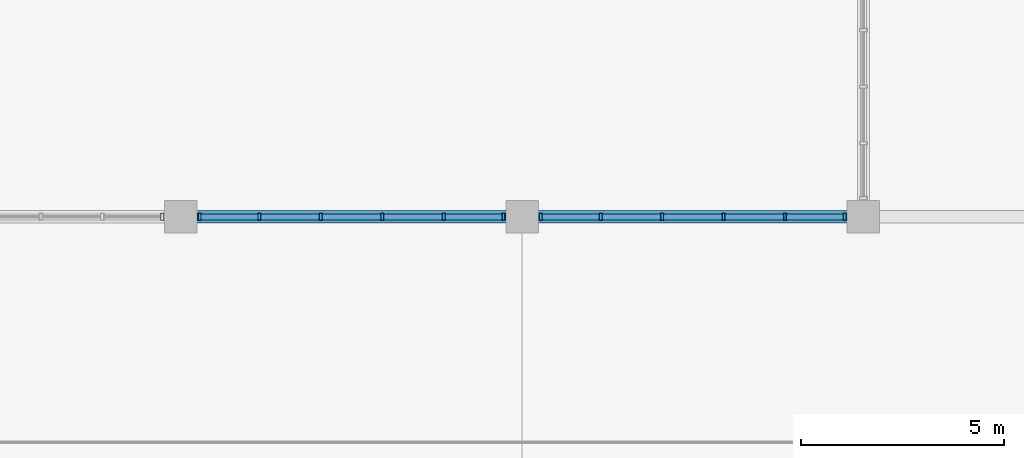
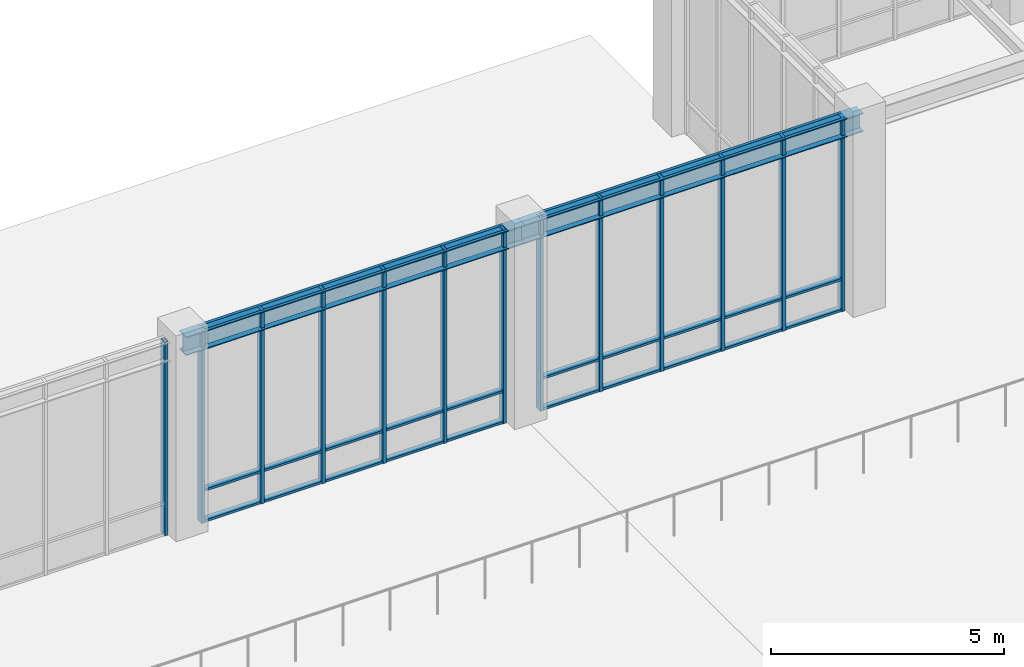
# One storey, part 51 of 139: 43 members, 2 beams, 3 elements without a shape of their own.
"""IFC4 building model written with IfcOpenShell, lengths in metres."""

from ifc_helpers import new_model, si_unit, direction, frame, origin, origin_2d, place, context, subcontext, project, spatial, hollow_rectangle, i_section, extrude, material, layer, layer_set, material_profile, profile_set, type_object, element, aggregate, save


model = new_model("IFC4")

# Units and contexts
model_context = context("Model", 3, precision=1e-05, world=origin(), true_north=direction((0.0, 1.0)))
body_context = subcontext(model_context, "Body", "Model", "MODEL_VIEW")
ifc_project = project(units=[si_unit("LENGTHUNIT", "METRE"), si_unit("AREAUNIT", "SQUARE_METRE"), si_unit("VOLUMEUNIT", "CUBIC_METRE"), si_unit("PLANEANGLEUNIT", "RADIAN"), si_unit("MASSUNIT", "GRAM", prefix="KILO")], contexts=[model_context])

# Site, building, storey
site_placement = place(None, origin())
site = spatial("IfcSite", under=ifc_project, at=site_placement, CompositionType="ELEMENT")
building_placement = place(site_placement, origin())
building = spatial("IfcBuilding", under=site, at=building_placement, Name="Zayran Congress Hotel", CompositionType="ELEMENT")
storey_placement = place(building_placement, frame((0.0, 0.0, 5.39990234375)))
storey = spatial("IfcBuildingStorey", under=building, at=storey_placement, Name="L01", CompositionType="ELEMENT", Elevation=5.39990234375)

# Beams
ifc_material_1 = material(Name="Steel S355", Category="steel")
ifc_material_profile_1 = material_profile(ifc_material_1, i_section(OverallWidth=0.300048828125, OverallDepth=0.489990234375, WebThickness=0.011962890625, FlangeThickness=0.02294921875, at=origin_2d()), Name="HEA 500")
ifc_profile_set_1 = profile_set([ifc_material_profile_1], Name="Steel S355")
beam_type = type_object("IfcBeamType", Name="TP-BM-05", PredefinedType="BEAM", material=ifc_profile_set_1)
beam_1_placement = place(storey_placement, frame((42.0, 109.60009765625, 4.835205078125), z_axis=(1.0, 0.0, 0.0), x_axis=(0.0, 1.0, 0.0)))
element("IfcBeam", 1, at=beam_1_placement, inside=storey, type_object=beam_type, Name="BM-V1-L01-0555", PredefinedType="BEAM", context=body_context, shape_type="SweptSolid", body=[
    extrude(i_section(OverallWidth=0.300048828125, OverallDepth=0.489990234375, WebThickness=0.011962890625, FlangeThickness=0.02294921875, at=origin_2d()), origin(), (0.0, 0.0, 1.0), 8.39990234375),
])
beam_2_placement = place(storey_placement, frame((50.39990234375, 109.60009765625, 4.835205078125), z_axis=(1.0, 0.0, 0.0), x_axis=(0.0, 1.0, 0.0)))
element("IfcBeam", 2, at=beam_2_placement, inside=storey, type_object=beam_type, Name="BM-V1-L01-0556", PredefinedType="BEAM", context=body_context, shape_type="SweptSolid", body=[
    extrude(i_section(OverallWidth=0.300048828125, OverallDepth=0.489990234375, WebThickness=0.011962890625, FlangeThickness=0.02294921875, at=origin_2d()), origin(), (0.0, 0.0, 1.0), 8.400146484375),
])

# Curtain wall, member
ifc_material_2 = material(Name="Anodised aluminium and low-E insulated glass", Category="aluminium")
ifc_layer_1 = layer(ifc_material_2, 0.179931640625)
ifc_layer_set_1 = layer_set([ifc_layer_1], Name="Anodised aluminium and low-E insulated glass")
curtain_wall_type_1 = type_object("IfcCurtainWallType", Name="CW-V1NF-L01-CW-21-7560-5080", PredefinedType="USERDEFINED", material=ifc_layer_set_1)
curtain_wall_1_placement = place(storey_placement, origin())
curtain_wall_1 = element("IfcCurtainWall", 3, at=curtain_wall_1_placement, inside=storey, type_object=curtain_wall_type_1, Name="CW-V1NF-L01-3", ObjectType="CURTAIN WALL", PredefinedType="USERDEFINED")
ifc_material_3 = material(Name="Anodised aluminium framing", Category="aluminium")
ifc_material_profile_2 = material_profile(ifc_material_3, hollow_rectangle(XDim=0.080078125, YDim=0.179931640625, WallThickness=0.0048828125, at=origin_2d()), Name="RHS 180x80x5")
ifc_profile_set_2 = profile_set([ifc_material_profile_2], Name="Anodised aluminium framing")
member_type_1 = type_object("IfcMemberType", Name="TP-CWM-01", PredefinedType="MULLION", material=ifc_profile_set_2)
member_1_placement = place(storey_placement, frame((41.5400390625, 109.60009765625, 0.0), z_axis=(0.0, 0.0, 1.0), x_axis=(1.0, 0.0, 0.0)))
member_1 = element("IfcMember", 4, at=member_1_placement, type_object=member_type_1, Name="CW-V1NF-L01-3-M00", PredefinedType="MULLION", context=body_context, shape_type="SweptSolid", body=[
    extrude(hollow_rectangle(XDim=0.080078125, YDim=0.179931640625, WallThickness=0.0048828125, at=origin_2d()), origin(), (0.0, 0.0, 1.0), 5.080078125),
])
aggregate(curtain_wall_1, [member_1])

# Curtain wall, members
ifc_layer_2 = layer(ifc_material_2, 0.179931640625)
ifc_layer_set_2 = layer_set([ifc_layer_2], Name="Anodised aluminium and low-E insulated glass")
curtain_wall_type_2 = type_object("IfcCurtainWallType", Name="CW-V1NF-L01-CW-22-7560-5080", PredefinedType="USERDEFINED", material=ifc_layer_set_2)
curtain_wall_2_placement = place(storey_placement, origin())
curtain_wall_2 = element("IfcCurtainWall", 5, at=curtain_wall_2_placement, inside=storey, type_object=curtain_wall_type_2, Name="CW-V1NF-L01-4", ObjectType="CURTAIN WALL", PredefinedType="USERDEFINED")
member_2_placement = place(storey_placement, frame((49.93994140625, 109.60009765625, 0.0), z_axis=(0.0, 0.0, 1.0), x_axis=(1.0, 0.0, 0.0)))
member_2 = element("IfcMember", 6, at=member_2_placement, type_object=member_type_1, Name="CW-V1NF-L01-4-M00", PredefinedType="MULLION", context=body_context, shape_type="SweptSolid", body=[
    extrude(hollow_rectangle(XDim=0.080078125, YDim=0.179931640625, WallThickness=0.0048828125, at=origin_2d()), origin(), (0.0, 0.0, 1.0), 5.080078125),
])
member_3_placement = place(storey_placement, frame((48.468017578125, 109.60009765625, 0.0), z_axis=(0.0, 0.0, 1.0), x_axis=(1.0, 0.0, 0.0)))
member_3 = element("IfcMember", 7, at=member_3_placement, type_object=member_type_1, Name="CW-V1NF-L01-4-M01", PredefinedType="MULLION", context=body_context, shape_type="SweptSolid", body=[
    extrude(hollow_rectangle(XDim=0.080078125, YDim=0.179931640625, WallThickness=0.0048828125, at=origin_2d()), origin(), (0.0, 0.0, 1.0), 5.080078125),
])
member_4_placement = place(storey_placement, frame((46.9560546875, 109.60009765625, 0.0), z_axis=(0.0, 0.0, 1.0), x_axis=(1.0, 0.0, 0.0)))
member_4 = element("IfcMember", 8, at=member_4_placement, type_object=member_type_1, Name="CW-V1NF-L01-4-M02", PredefinedType="MULLION", context=body_context, shape_type="SweptSolid", body=[
    extrude(hollow_rectangle(XDim=0.080078125, YDim=0.179931640625, WallThickness=0.0048828125, at=origin_2d()), origin(), (0.0, 0.0, 1.0), 5.080078125),
])
member_5_placement = place(storey_placement, frame((45.444091796875, 109.60009765625, 0.0), z_axis=(0.0, 0.0, 1.0), x_axis=(1.0, 0.0, 0.0)))
member_5 = element("IfcMember", 9, at=member_5_placement, type_object=member_type_1, Name="CW-V1NF-L01-4-M03", PredefinedType="MULLION", context=body_context, shape_type="SweptSolid", body=[
    extrude(hollow_rectangle(XDim=0.080078125, YDim=0.179931640625, WallThickness=0.0048828125, at=origin_2d()), origin(), (0.0, 0.0, 1.0), 5.080078125),
])
member_6_placement = place(storey_placement, frame((43.931884765625, 109.60009765625, 0.0), z_axis=(0.0, 0.0, 1.0), x_axis=(1.0, 0.0, 0.0)))
member_6 = element("IfcMember", 10, at=member_6_placement, type_object=member_type_1, Name="CW-V1NF-L01-4-M04", PredefinedType="MULLION", context=body_context, shape_type="SweptSolid", body=[
    extrude(hollow_rectangle(XDim=0.080078125, YDim=0.179931640625, WallThickness=0.0048828125, at=origin_2d()), origin(), (0.0, 0.0, 1.0), 5.080078125),
])
member_7_placement = place(storey_placement, frame((42.4599609375, 109.60009765625, 0.0), z_axis=(0.0, 0.0, 1.0), x_axis=(1.0, 0.0, 0.0)))
member_7 = element("IfcMember", 11, at=member_7_placement, type_object=member_type_1, Name="CW-V1NF-L01-4-M05", PredefinedType="MULLION", context=body_context, shape_type="SweptSolid", body=[
    extrude(hollow_rectangle(XDim=0.080078125, YDim=0.179931640625, WallThickness=0.0048828125, at=origin_2d()), origin(), (0.0, 0.0, 1.0), 5.080078125),
])

ifc_layer_3 = layer(ifc_material_2, 0.179931640625)
ifc_layer_set_3 = layer_set([ifc_layer_3], Name="Anodised aluminium and low-E insulated glass")
curtain_wall_type_3 = type_object("IfcCurtainWallType", Name="CW-V1NF-L01-CW-23-7560-5080", PredefinedType="USERDEFINED", material=ifc_layer_set_3)
curtain_wall_3_placement = place(storey_placement, origin())
curtain_wall_3 = element("IfcCurtainWall", 12, at=curtain_wall_3_placement, inside=storey, type_object=curtain_wall_type_3, Name="CW-V1NF-L01-5", ObjectType="CURTAIN WALL", PredefinedType="USERDEFINED")
member_8_placement = place(storey_placement, frame((58.340087890625, 109.60009765625, 0.0), z_axis=(0.0, 0.0, 1.0), x_axis=(1.0, 0.0, 0.0)))
member_8 = element("IfcMember", 13, at=member_8_placement, type_object=member_type_1, Name="CW-V1NF-L01-5-M00", PredefinedType="MULLION", context=body_context, shape_type="SweptSolid", body=[
    extrude(hollow_rectangle(XDim=0.080078125, YDim=0.179931640625, WallThickness=0.0048828125, at=origin_2d()), origin(), (0.0, 0.0, 1.0), 5.080078125),
])
member_9_placement = place(storey_placement, frame((56.867919921875, 109.60009765625, 0.0), z_axis=(0.0, 0.0, 1.0), x_axis=(1.0, 0.0, 0.0)))
member_9 = element("IfcMember", 14, at=member_9_placement, type_object=member_type_1, Name="CW-V1NF-L01-5-M01", PredefinedType="MULLION", context=body_context, shape_type="SweptSolid", body=[
    extrude(hollow_rectangle(XDim=0.080078125, YDim=0.179931640625, WallThickness=0.0048828125, at=origin_2d()), origin(), (0.0, 0.0, 1.0), 5.080078125),
])
member_10_placement = place(storey_placement, frame((55.35595703125, 109.60009765625, 0.0), z_axis=(0.0, 0.0, 1.0), x_axis=(1.0, 0.0, 0.0)))
member_10 = element("IfcMember", 15, at=member_10_placement, type_object=member_type_1, Name="CW-V1NF-L01-5-M02", PredefinedType="MULLION", context=body_context, shape_type="SweptSolid", body=[
    extrude(hollow_rectangle(XDim=0.080078125, YDim=0.179931640625, WallThickness=0.0048828125, at=origin_2d()), origin(), (0.0, 0.0, 1.0), 5.080078125),
])
member_11_placement = place(storey_placement, frame((53.843994140625, 109.60009765625, 0.0), z_axis=(0.0, 0.0, 1.0), x_axis=(1.0, 0.0, 0.0)))
member_11 = element("IfcMember", 16, at=member_11_placement, type_object=member_type_1, Name="CW-V1NF-L01-5-M03", PredefinedType="MULLION", context=body_context, shape_type="SweptSolid", body=[
    extrude(hollow_rectangle(XDim=0.080078125, YDim=0.179931640625, WallThickness=0.0048828125, at=origin_2d()), origin(), (0.0, 0.0, 1.0), 5.080078125),
])
member_12_placement = place(storey_placement, frame((52.33203125, 109.60009765625, 0.0), z_axis=(0.0, 0.0, 1.0), x_axis=(1.0, 0.0, 0.0)))
member_12 = element("IfcMember", 17, at=member_12_placement, type_object=member_type_1, Name="CW-V1NF-L01-5-M04", PredefinedType="MULLION", context=body_context, shape_type="SweptSolid", body=[
    extrude(hollow_rectangle(XDim=0.080078125, YDim=0.179931640625, WallThickness=0.0048828125, at=origin_2d()), origin(), (0.0, 0.0, 1.0), 5.080078125),
])
member_13_placement = place(storey_placement, frame((50.860107421875, 109.60009765625, 0.0), z_axis=(0.0, 0.0, 1.0), x_axis=(1.0, 0.0, 0.0)))
member_13 = element("IfcMember", 18, at=member_13_placement, type_object=member_type_1, Name="CW-V1NF-L01-5-M05", PredefinedType="MULLION", context=body_context, shape_type="SweptSolid", body=[
    extrude(hollow_rectangle(XDim=0.080078125, YDim=0.179931640625, WallThickness=0.0048828125, at=origin_2d()), origin(), (0.0, 0.0, 1.0), 5.080078125),
])

# Member
ifc_material_profile_3 = material_profile(ifc_material_3, hollow_rectangle(XDim=0.06005859375, YDim=0.14990234375, WallThickness=0.00390625, at=origin_2d()), Name="RHS 150x60x4")
ifc_profile_set_3 = profile_set([ifc_material_profile_3], Name="Anodised aluminium framing")
member_type_2 = type_object("IfcMemberType", Name="TP-CWT-01", PredefinedType="USERDEFINED", material=ifc_profile_set_3)
member_14_placement = place(storey_placement, frame((49.89990234375, 109.60009765625, 0.030029296875), z_axis=(-1.0, 0.0, 0.0), x_axis=(0.0, 0.0, 1.0)))
member_14 = element("IfcMember", 19, at=member_14_placement, type_object=member_type_2, Name="CW-V1NF-L01-4-T00-0", ObjectType="TRANSOM", PredefinedType="USERDEFINED", context=body_context, shape_type="SweptSolid", body=[
    extrude(hollow_rectangle(XDim=0.06005859375, YDim=0.14990234375, WallThickness=0.00390625, at=origin_2d()), origin(), (0.0, 0.0, 1.0), 1.391845703125),
])

member_15_placement = place(storey_placement, frame((49.89990234375, 109.60009765625, 0.840087890625), z_axis=(-1.0, 0.0, 0.0), x_axis=(0.0, 0.0, 1.0)))
member_15 = element("IfcMember", 20, at=member_15_placement, type_object=member_type_2, Name="CW-V1NF-L01-4-T00-1", ObjectType="TRANSOM", PredefinedType="USERDEFINED", context=body_context, shape_type="SweptSolid", body=[
    extrude(hollow_rectangle(XDim=0.06005859375, YDim=0.14990234375, WallThickness=0.00390625, at=origin_2d()), origin(), (0.0, 0.0, 1.0), 1.391845703125),
])

member_16_placement = place(storey_placement, frame((49.89990234375, 109.60009765625, 5.050048828125), z_axis=(-1.0, 0.0, 0.0), x_axis=(0.0, 0.0, 1.0)))
member_16 = element("IfcMember", 21, at=member_16_placement, type_object=member_type_2, Name="CW-V1NF-L01-4-T00-2", ObjectType="TRANSOM", PredefinedType="USERDEFINED", context=body_context, shape_type="SweptSolid", body=[
    extrude(hollow_rectangle(XDim=0.06005859375, YDim=0.14990234375, WallThickness=0.00390625, at=origin_2d()), origin(), (0.0, 0.0, 1.0), 1.391845703125),
])

member_17_placement = place(storey_placement, frame((48.427978515625, 109.60009765625, 0.030029296875), z_axis=(-1.0, 0.0, 0.0), x_axis=(0.0, 0.0, 1.0)))
member_17 = element("IfcMember", 22, at=member_17_placement, type_object=member_type_2, Name="CW-V1NF-L01-4-T01-0", ObjectType="TRANSOM", PredefinedType="USERDEFINED", context=body_context, shape_type="SweptSolid", body=[
    extrude(hollow_rectangle(XDim=0.06005859375, YDim=0.14990234375, WallThickness=0.00390625, at=origin_2d()), origin(), (0.0, 0.0, 1.0), 1.431884765625),
])

member_18_placement = place(storey_placement, frame((48.427978515625, 109.60009765625, 0.840087890625), z_axis=(-1.0, 0.0, 0.0), x_axis=(0.0, 0.0, 1.0)))
member_18 = element("IfcMember", 23, at=member_18_placement, type_object=member_type_2, Name="CW-V1NF-L01-4-T01-1", ObjectType="TRANSOM", PredefinedType="USERDEFINED", context=body_context, shape_type="SweptSolid", body=[
    extrude(hollow_rectangle(XDim=0.06005859375, YDim=0.14990234375, WallThickness=0.00390625, at=origin_2d()), origin(), (0.0, 0.0, 1.0), 1.431884765625),
])

member_19_placement = place(storey_placement, frame((48.427978515625, 109.60009765625, 5.050048828125), z_axis=(-1.0, 0.0, 0.0), x_axis=(0.0, 0.0, 1.0)))
member_19 = element("IfcMember", 24, at=member_19_placement, type_object=member_type_2, Name="CW-V1NF-L01-4-T01-2", ObjectType="TRANSOM", PredefinedType="USERDEFINED", context=body_context, shape_type="SweptSolid", body=[
    extrude(hollow_rectangle(XDim=0.06005859375, YDim=0.14990234375, WallThickness=0.00390625, at=origin_2d()), origin(), (0.0, 0.0, 1.0), 1.431884765625),
])

member_20_placement = place(storey_placement, frame((46.916015625, 109.60009765625, 0.030029296875), z_axis=(-1.0, 0.0, 0.0), x_axis=(0.0, 0.0, 1.0)))
member_20 = element("IfcMember", 25, at=member_20_placement, type_object=member_type_2, Name="CW-V1NF-L01-4-T02-0", ObjectType="TRANSOM", PredefinedType="USERDEFINED", context=body_context, shape_type="SweptSolid", body=[
    extrude(hollow_rectangle(XDim=0.06005859375, YDim=0.14990234375, WallThickness=0.00390625, at=origin_2d()), origin(), (0.0, 0.0, 1.0), 1.43212890625),
])

member_21_placement = place(storey_placement, frame((46.916015625, 109.60009765625, 0.840087890625), z_axis=(-1.0, 0.0, 0.0), x_axis=(0.0, 0.0, 1.0)))
member_21 = element("IfcMember", 26, at=member_21_placement, type_object=member_type_2, Name="CW-V1NF-L01-4-T02-1", ObjectType="TRANSOM", PredefinedType="USERDEFINED", context=body_context, shape_type="SweptSolid", body=[
    extrude(hollow_rectangle(XDim=0.06005859375, YDim=0.14990234375, WallThickness=0.00390625, at=origin_2d()), origin(), (0.0, 0.0, 1.0), 1.43212890625),
])

member_22_placement = place(storey_placement, frame((46.916015625, 109.60009765625, 5.050048828125), z_axis=(-1.0, 0.0, 0.0), x_axis=(0.0, 0.0, 1.0)))
member_22 = element("IfcMember", 27, at=member_22_placement, type_object=member_type_2, Name="CW-V1NF-L01-4-T02-2", ObjectType="TRANSOM", PredefinedType="USERDEFINED", context=body_context, shape_type="SweptSolid", body=[
    extrude(hollow_rectangle(XDim=0.06005859375, YDim=0.14990234375, WallThickness=0.00390625, at=origin_2d()), origin(), (0.0, 0.0, 1.0), 1.43212890625),
])

member_23_placement = place(storey_placement, frame((45.404052734375, 109.60009765625, 0.030029296875), z_axis=(-1.0, 0.0, 0.0), x_axis=(0.0, 0.0, 1.0)))
member_23 = element("IfcMember", 28, at=member_23_placement, type_object=member_type_2, Name="CW-V1NF-L01-4-T03-0", ObjectType="TRANSOM", PredefinedType="USERDEFINED", context=body_context, shape_type="SweptSolid", body=[
    extrude(hollow_rectangle(XDim=0.06005859375, YDim=0.14990234375, WallThickness=0.00390625, at=origin_2d()), origin(), (0.0, 0.0, 1.0), 1.43212890625),
])

member_24_placement = place(storey_placement, frame((45.404052734375, 109.60009765625, 0.840087890625), z_axis=(-1.0, 0.0, 0.0), x_axis=(0.0, 0.0, 1.0)))
member_24 = element("IfcMember", 29, at=member_24_placement, type_object=member_type_2, Name="CW-V1NF-L01-4-T03-1", ObjectType="TRANSOM", PredefinedType="USERDEFINED", context=body_context, shape_type="SweptSolid", body=[
    extrude(hollow_rectangle(XDim=0.06005859375, YDim=0.14990234375, WallThickness=0.00390625, at=origin_2d()), origin(), (0.0, 0.0, 1.0), 1.43212890625),
])

member_25_placement = place(storey_placement, frame((45.404052734375, 109.60009765625, 5.050048828125), z_axis=(-1.0, 0.0, 0.0), x_axis=(0.0, 0.0, 1.0)))
member_25 = element("IfcMember", 30, at=member_25_placement, type_object=member_type_2, Name="CW-V1NF-L01-4-T03-2", ObjectType="TRANSOM", PredefinedType="USERDEFINED", context=body_context, shape_type="SweptSolid", body=[
    extrude(hollow_rectangle(XDim=0.06005859375, YDim=0.14990234375, WallThickness=0.00390625, at=origin_2d()), origin(), (0.0, 0.0, 1.0), 1.43212890625),
])

member_26_placement = place(storey_placement, frame((43.89208984375, 109.60009765625, 0.030029296875), z_axis=(-1.0, 0.0, 0.0), x_axis=(0.0, 0.0, 1.0)))
member_26 = element("IfcMember", 31, at=member_26_placement, type_object=member_type_2, Name="CW-V1NF-L01-4-T04-0", ObjectType="TRANSOM", PredefinedType="USERDEFINED", context=body_context, shape_type="SweptSolid", body=[
    extrude(hollow_rectangle(XDim=0.06005859375, YDim=0.14990234375, WallThickness=0.00390625, at=origin_2d()), origin(), (0.0, 0.0, 1.0), 1.39208984375),
])

member_27_placement = place(storey_placement, frame((43.89208984375, 109.60009765625, 0.840087890625), z_axis=(-1.0, 0.0, 0.0), x_axis=(0.0, 0.0, 1.0)))
member_27 = element("IfcMember", 32, at=member_27_placement, type_object=member_type_2, Name="CW-V1NF-L01-4-T04-1", ObjectType="TRANSOM", PredefinedType="USERDEFINED", context=body_context, shape_type="SweptSolid", body=[
    extrude(hollow_rectangle(XDim=0.06005859375, YDim=0.14990234375, WallThickness=0.00390625, at=origin_2d()), origin(), (0.0, 0.0, 1.0), 1.39208984375),
])

member_28_placement = place(storey_placement, frame((43.89208984375, 109.60009765625, 5.050048828125), z_axis=(-1.0, 0.0, 0.0), x_axis=(0.0, 0.0, 1.0)))
member_28 = element("IfcMember", 33, at=member_28_placement, type_object=member_type_2, Name="CW-V1NF-L01-4-T04-2", ObjectType="TRANSOM", PredefinedType="USERDEFINED", context=body_context, shape_type="SweptSolid", body=[
    extrude(hollow_rectangle(XDim=0.06005859375, YDim=0.14990234375, WallThickness=0.00390625, at=origin_2d()), origin(), (0.0, 0.0, 1.0), 1.39208984375),
])

aggregate(curtain_wall_2, [member_2, member_3, member_4, member_5, member_6, member_7, member_14, member_15, member_16, member_17, member_18, member_19, member_20, member_21, member_22, member_23, member_24, member_25, member_26, member_27, member_28])

member_29_placement = place(storey_placement, frame((58.300048828125, 109.60009765625, 0.030029296875), z_axis=(-1.0, 0.0, 0.0), x_axis=(0.0, 0.0, 1.0)))
member_29 = element("IfcMember", 34, at=member_29_placement, type_object=member_type_2, Name="CW-V1NF-L01-5-T00-0", ObjectType="TRANSOM", PredefinedType="USERDEFINED", context=body_context, shape_type="SweptSolid", body=[
    extrude(hollow_rectangle(XDim=0.06005859375, YDim=0.14990234375, WallThickness=0.00390625, at=origin_2d()), origin(), (0.0, 0.0, 1.0), 1.39208984375),
])

member_30_placement = place(storey_placement, frame((58.300048828125, 109.60009765625, 0.840087890625), z_axis=(-1.0, 0.0, 0.0), x_axis=(0.0, 0.0, 1.0)))
member_30 = element("IfcMember", 35, at=member_30_placement, type_object=member_type_2, Name="CW-V1NF-L01-5-T00-1", ObjectType="TRANSOM", PredefinedType="USERDEFINED", context=body_context, shape_type="SweptSolid", body=[
    extrude(hollow_rectangle(XDim=0.06005859375, YDim=0.14990234375, WallThickness=0.00390625, at=origin_2d()), origin(), (0.0, 0.0, 1.0), 1.39208984375),
])

member_31_placement = place(storey_placement, frame((58.300048828125, 109.60009765625, 5.050048828125), z_axis=(-1.0, 0.0, 0.0), x_axis=(0.0, 0.0, 1.0)))
member_31 = element("IfcMember", 36, at=member_31_placement, type_object=member_type_2, Name="CW-V1NF-L01-5-T00-2", ObjectType="TRANSOM", PredefinedType="USERDEFINED", context=body_context, shape_type="SweptSolid", body=[
    extrude(hollow_rectangle(XDim=0.06005859375, YDim=0.14990234375, WallThickness=0.00390625, at=origin_2d()), origin(), (0.0, 0.0, 1.0), 1.39208984375),
])

member_32_placement = place(storey_placement, frame((56.827880859375, 109.60009765625, 0.030029296875), z_axis=(-1.0, 0.0, 0.0), x_axis=(0.0, 0.0, 1.0)))
member_32 = element("IfcMember", 37, at=member_32_placement, type_object=member_type_2, Name="CW-V1NF-L01-5-T01-0", ObjectType="TRANSOM", PredefinedType="USERDEFINED", context=body_context, shape_type="SweptSolid", body=[
    extrude(hollow_rectangle(XDim=0.06005859375, YDim=0.14990234375, WallThickness=0.00390625, at=origin_2d()), origin(), (0.0, 0.0, 1.0), 1.431884765625),
])

member_33_placement = place(storey_placement, frame((56.827880859375, 109.60009765625, 0.840087890625), z_axis=(-1.0, 0.0, 0.0), x_axis=(0.0, 0.0, 1.0)))
member_33 = element("IfcMember", 38, at=member_33_placement, type_object=member_type_2, Name="CW-V1NF-L01-5-T01-1", ObjectType="TRANSOM", PredefinedType="USERDEFINED", context=body_context, shape_type="SweptSolid", body=[
    extrude(hollow_rectangle(XDim=0.06005859375, YDim=0.14990234375, WallThickness=0.00390625, at=origin_2d()), origin(), (0.0, 0.0, 1.0), 1.431884765625),
])

member_34_placement = place(storey_placement, frame((56.827880859375, 109.60009765625, 5.050048828125), z_axis=(-1.0, 0.0, 0.0), x_axis=(0.0, 0.0, 1.0)))
member_34 = element("IfcMember", 39, at=member_34_placement, type_object=member_type_2, Name="CW-V1NF-L01-5-T01-2", ObjectType="TRANSOM", PredefinedType="USERDEFINED", context=body_context, shape_type="SweptSolid", body=[
    extrude(hollow_rectangle(XDim=0.06005859375, YDim=0.14990234375, WallThickness=0.00390625, at=origin_2d()), origin(), (0.0, 0.0, 1.0), 1.431884765625),
])

member_35_placement = place(storey_placement, frame((55.31591796875, 109.60009765625, 0.030029296875), z_axis=(-1.0, 0.0, 0.0), x_axis=(0.0, 0.0, 1.0)))
member_35 = element("IfcMember", 40, at=member_35_placement, type_object=member_type_2, Name="CW-V1NF-L01-5-T02-0", ObjectType="TRANSOM", PredefinedType="USERDEFINED", context=body_context, shape_type="SweptSolid", body=[
    extrude(hollow_rectangle(XDim=0.06005859375, YDim=0.14990234375, WallThickness=0.00390625, at=origin_2d()), origin(), (0.0, 0.0, 1.0), 1.431884765625),
])

member_36_placement = place(storey_placement, frame((55.31591796875, 109.60009765625, 0.840087890625), z_axis=(-1.0, 0.0, 0.0), x_axis=(0.0, 0.0, 1.0)))
member_36 = element("IfcMember", 41, at=member_36_placement, type_object=member_type_2, Name="CW-V1NF-L01-5-T02-1", ObjectType="TRANSOM", PredefinedType="USERDEFINED", context=body_context, shape_type="SweptSolid", body=[
    extrude(hollow_rectangle(XDim=0.06005859375, YDim=0.14990234375, WallThickness=0.00390625, at=origin_2d()), origin(), (0.0, 0.0, 1.0), 1.431884765625),
])

member_37_placement = place(storey_placement, frame((55.31591796875, 109.60009765625, 5.050048828125), z_axis=(-1.0, 0.0, 0.0), x_axis=(0.0, 0.0, 1.0)))
member_37 = element("IfcMember", 42, at=member_37_placement, type_object=member_type_2, Name="CW-V1NF-L01-5-T02-2", ObjectType="TRANSOM", PredefinedType="USERDEFINED", context=body_context, shape_type="SweptSolid", body=[
    extrude(hollow_rectangle(XDim=0.06005859375, YDim=0.14990234375, WallThickness=0.00390625, at=origin_2d()), origin(), (0.0, 0.0, 1.0), 1.431884765625),
])

member_38_placement = place(storey_placement, frame((53.803955078125, 109.60009765625, 0.030029296875), z_axis=(-1.0, 0.0, 0.0), x_axis=(0.0, 0.0, 1.0)))
member_38 = element("IfcMember", 43, at=member_38_placement, type_object=member_type_2, Name="CW-V1NF-L01-5-T03-0", ObjectType="TRANSOM", PredefinedType="USERDEFINED", context=body_context, shape_type="SweptSolid", body=[
    extrude(hollow_rectangle(XDim=0.06005859375, YDim=0.14990234375, WallThickness=0.00390625, at=origin_2d()), origin(), (0.0, 0.0, 1.0), 1.431884765625),
])

member_39_placement = place(storey_placement, frame((53.803955078125, 109.60009765625, 0.840087890625), z_axis=(-1.0, 0.0, 0.0), x_axis=(0.0, 0.0, 1.0)))
member_39 = element("IfcMember", 44, at=member_39_placement, type_object=member_type_2, Name="CW-V1NF-L01-5-T03-1", ObjectType="TRANSOM", PredefinedType="USERDEFINED", context=body_context, shape_type="SweptSolid", body=[
    extrude(hollow_rectangle(XDim=0.06005859375, YDim=0.14990234375, WallThickness=0.00390625, at=origin_2d()), origin(), (0.0, 0.0, 1.0), 1.431884765625),
])

member_40_placement = place(storey_placement, frame((53.803955078125, 109.60009765625, 5.050048828125), z_axis=(-1.0, 0.0, 0.0), x_axis=(0.0, 0.0, 1.0)))
member_40 = element("IfcMember", 45, at=member_40_placement, type_object=member_type_2, Name="CW-V1NF-L01-5-T03-2", ObjectType="TRANSOM", PredefinedType="USERDEFINED", context=body_context, shape_type="SweptSolid", body=[
    extrude(hollow_rectangle(XDim=0.06005859375, YDim=0.14990234375, WallThickness=0.00390625, at=origin_2d()), origin(), (0.0, 0.0, 1.0), 1.431884765625),
])

member_41_placement = place(storey_placement, frame((52.2919921875, 109.60009765625, 0.030029296875), z_axis=(-1.0, 0.0, 0.0), x_axis=(0.0, 0.0, 1.0)))
member_41 = element("IfcMember", 46, at=member_41_placement, type_object=member_type_2, Name="CW-V1NF-L01-5-T04-0", ObjectType="TRANSOM", PredefinedType="USERDEFINED", context=body_context, shape_type="SweptSolid", body=[
    extrude(hollow_rectangle(XDim=0.06005859375, YDim=0.14990234375, WallThickness=0.00390625, at=origin_2d()), origin(), (0.0, 0.0, 1.0), 1.39208984375),
])

member_42_placement = place(storey_placement, frame((52.2919921875, 109.60009765625, 0.840087890625), z_axis=(-1.0, 0.0, 0.0), x_axis=(0.0, 0.0, 1.0)))
member_42 = element("IfcMember", 47, at=member_42_placement, type_object=member_type_2, Name="CW-V1NF-L01-5-T04-1", ObjectType="TRANSOM", PredefinedType="USERDEFINED", context=body_context, shape_type="SweptSolid", body=[
    extrude(hollow_rectangle(XDim=0.06005859375, YDim=0.14990234375, WallThickness=0.00390625, at=origin_2d()), origin(), (0.0, 0.0, 1.0), 1.39208984375),
])

member_43_placement = place(storey_placement, frame((52.2919921875, 109.60009765625, 5.050048828125), z_axis=(-1.0, 0.0, 0.0), x_axis=(0.0, 0.0, 1.0)))
member_43 = element("IfcMember", 48, at=member_43_placement, type_object=member_type_2, Name="CW-V1NF-L01-5-T04-2", ObjectType="TRANSOM", PredefinedType="USERDEFINED", context=body_context, shape_type="SweptSolid", body=[
    extrude(hollow_rectangle(XDim=0.06005859375, YDim=0.14990234375, WallThickness=0.00390625, at=origin_2d()), origin(), (0.0, 0.0, 1.0), 1.39208984375),
])

aggregate(curtain_wall_3, [member_8, member_9, member_10, member_11, member_12, member_13, member_29, member_30, member_31, member_32, member_33, member_34, member_35, member_36, member_37, member_38, member_39, member_40, member_41, member_42, member_43])

save(model, "model.ifc")
